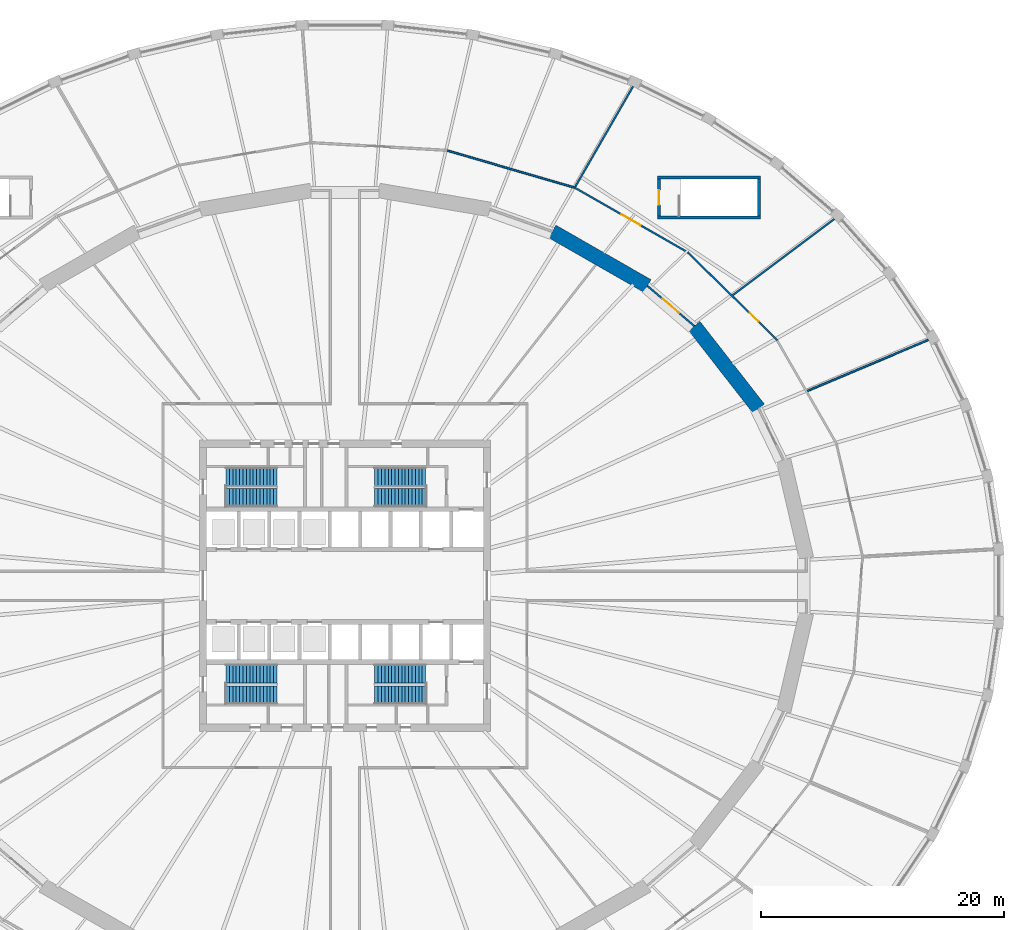
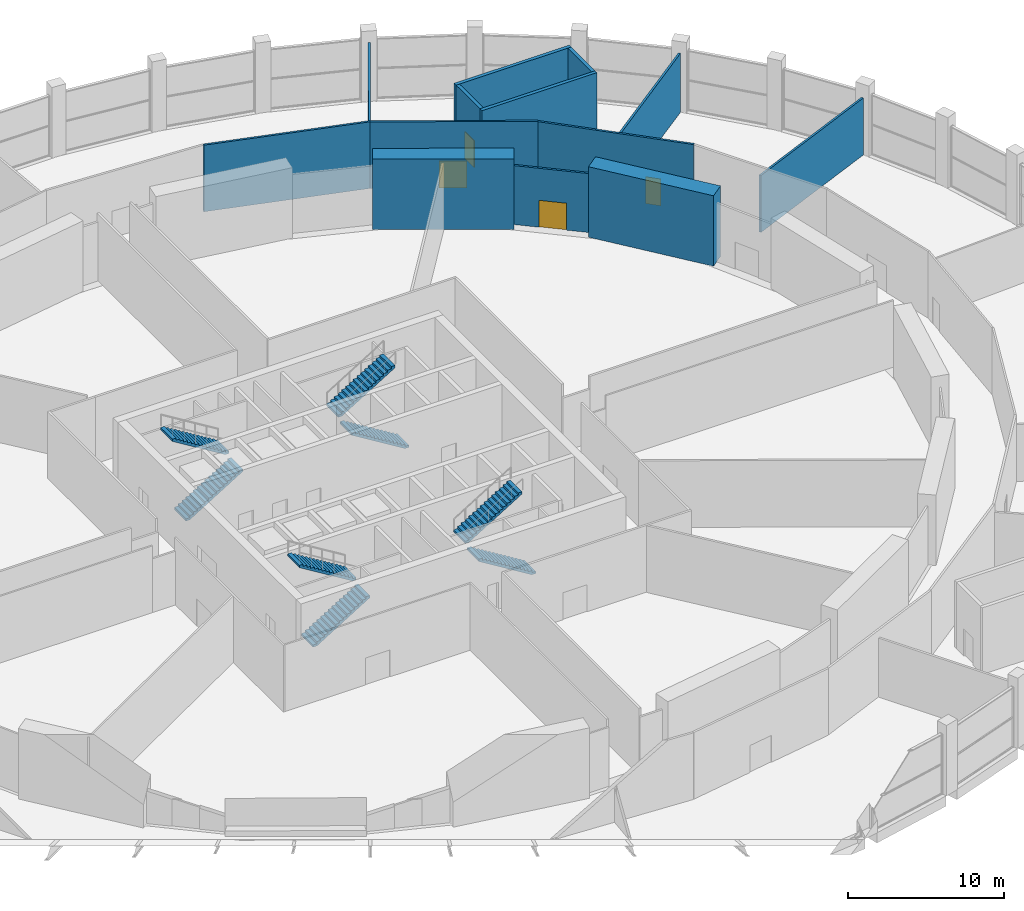
# One storey, part 24 of 26: 13 walls, 8 stair flights, 4 doors, 4 openings, 4 elements without a shape of their own.
"""IFC4 building model written with IfcOpenShell, lengths in metres."""

import ifcopenshell
import ifcopenshell.guid

model = None  # the IFC model being written
_history = None  # IfcOwnerHistory: only IFC2X3 demands one
_inside = {}  # id of a spatial element -> (the spatial element, [elements in it])
_under = {}  # id of a project, library or spatial element -> (it, [spatial elements below it])
_declared = {}  # id of a project -> (the project, [libraries it declares])
_typed = {}  # id of a type object -> (the type object, [elements of that type])
_made_of = {}  # id of a material, layer set ... -> (it, [elements and type objects made of it])


def new_model(schema):
    """Start an empty IFC model of exactly this schema.

    Asked for "IFC4X3", IfcOpenShell would pick the latest addendum, in which some entities
    have other attributes; the version numbers below select the first issue.
    IFC2X3 requires an IfcOwnerHistory on every rooted entity: one is made here for all.
    """
    global model, _history
    if schema == "IFC4X3":
        model = ifcopenshell.file(schema_version=(4, 3, 0, 0))
    else:
        model = ifcopenshell.file(schema=schema)
    _inside.clear()
    _under.clear()
    _declared.clear()
    _typed.clear()
    _made_of.clear()
    _history = None
    if model.schema == "IFC2X3":
        org = make("IfcOrganization", Name="unknown")
        user = make(
            "IfcPersonAndOrganization",
            ThePerson=make("IfcPerson", FamilyName="unknown"),
            TheOrganization=org,
        )
        app = make(
            "IfcApplication",
            ApplicationDeveloper=org,
            Version="unknown",
            ApplicationFullName="unknown",
            ApplicationIdentifier="unknown",
        )
        _history = make(
            "IfcOwnerHistory",
            OwningUser=user,
            OwningApplication=app,
            ChangeAction="ADDED",
            CreationDate=0,
        )
    return model


def make(cls, **values):
    """One entity of the class cls with the attributes given. An attribute that is None is left unset."""
    return model.create_entity(
        cls, **{name: value for name, value in values.items() if value is not None}
    )


def rooted(cls, **values):
    """An entity with a GlobalId (a new one), such as an element, a storey or a relation."""
    return make(cls, GlobalId=ifcopenshell.guid.new(), OwnerHistory=_history, **values)


def si_unit(unit_type, name, prefix=None):
    """IfcSIUnit, for example si_unit("LENGTHUNIT", "METRE", prefix="MILLI")."""
    return make("IfcSIUnit", UnitType=unit_type, Prefix=prefix, Name=name)


def assignment(units):
    """IfcUnitAssignment: the units of a project."""
    return None if units is None else make("IfcUnitAssignment", Units=units)


def point(xyz):
    """IfcCartesianPoint."""
    return None if xyz is None else make("IfcCartesianPoint", Coordinates=xyz)


def direction(xyz):
    """IfcDirection."""
    return None if xyz is None else make("IfcDirection", DirectionRatios=xyz)


def frame(location, z_axis=None, x_axis=None):
    """IfcAxis2Placement3D, a coordinate frame: its origin and axes. An axis left out is left unset."""
    return make(
        "IfcAxis2Placement3D",
        Location=point(location),
        Axis=direction(z_axis),
        RefDirection=direction(x_axis),
    )


def frame_2d(location, x_axis=None):
    """IfcAxis2Placement2D, a coordinate frame in the plane: its origin and x axis."""
    return make(
        "IfcAxis2Placement2D", Location=point(location), RefDirection=direction(x_axis)
    )


def origin():
    """The frame at (0, 0, 0) with its axes left unset."""
    return frame((0.0, 0.0, 0.0))


def place(relative_to, where):
    """IfcLocalPlacement: puts the frame where relative to a parent placement (None: the world)."""
    return make(
        "IfcLocalPlacement", PlacementRelTo=relative_to, RelativePlacement=where
    )


def context(
    kind, dimensions, precision=None, world=None, true_north=None, identifier=None
):
    """IfcGeometricRepresentationContext, for example the 3D "Model" context."""
    return make(
        "IfcGeometricRepresentationContext",
        ContextIdentifier=identifier,
        ContextType=kind,
        CoordinateSpaceDimension=dimensions,
        Precision=precision,
        WorldCoordinateSystem=world,
        TrueNorth=true_north,
    )


def subcontext(parent, identifier, kind, view, scale=None):
    """IfcGeometricRepresentationSubContext, for example "Body" below "Model"."""
    return make(
        "IfcGeometricRepresentationSubContext",
        ContextIdentifier=identifier,
        ContextType=kind,
        ParentContext=parent,
        TargetScale=scale,
        TargetView=view,
    )


def project(units=None, contexts=None):
    """IfcProject with its units and contexts."""
    return rooted(
        "IfcProject",
        Name="project",
        RepresentationContexts=contexts,
        UnitsInContext=assignment(units),
    )


def spatial(cls, under=None, at=None, **own):
    """A site, building, storey or space (cls), placed at a placement, below another one or the project."""
    s = rooted(cls, ObjectPlacement=at, **own)
    if under is not None:
        _under.setdefault(under.id(), (under, []))[1].append(s)
    return s


def polyline(points):
    """IfcPolyline through the points."""
    return make("IfcPolyline", Points=[point(p) for p in points])


def profile(cls, at=None, kind="AREA", **sizes):
    """A parametric profile (cls). Its sizes go by their IFC names, for example OverallWidth=200.0."""
    return make(cls, ProfileType=kind, Position=at, **sizes)


def rectangle(**sizes):
    """IfcRectangleProfileDef."""
    return profile("IfcRectangleProfileDef", **sizes)


def outline(outer, holes=None, kind="AREA"):
    """IfcArbitraryClosedProfileDef: a profile drawn as a closed curve; with holes, ...WithVoids."""
    if holes is None:
        return make("IfcArbitraryClosedProfileDef", ProfileType=kind, OuterCurve=outer)
    return make(
        "IfcArbitraryProfileDefWithVoids",
        ProfileType=kind,
        OuterCurve=outer,
        InnerCurves=holes,
    )


def extrude(swept, where, along, depth):
    """IfcExtrudedAreaSolid: the profile swept, set in the frame where, extruded along a direction by depth."""
    return make(
        "IfcExtrudedAreaSolid",
        SweptArea=swept,
        Position=where,
        ExtrudedDirection=direction(along),
        Depth=depth,
    )


def shape(context_of_items, identifier, shape_type, items):
    """IfcShapeRepresentation: the items that make up one representation, for example the "Body"."""
    return make(
        "IfcShapeRepresentation",
        ContextOfItems=context_of_items,
        RepresentationIdentifier=identifier,
        RepresentationType=shape_type,
        Items=items,
    )


def material(Name=None, Category=None):
    """IfcMaterial."""
    return make("IfcMaterial", Name=Name, Category=Category)


def layer(
    of_material, thickness, ventilated=None, Name=None, Category=None, Priority=None
):
    """IfcMaterialLayer: one layer of a wall or slab, of a material (None: an air gap)."""
    return make(
        "IfcMaterialLayer",
        Material=of_material,
        LayerThickness=thickness,
        IsVentilated=ventilated,
        Name=Name,
        Category=Category,
        Priority=Priority,
    )


def layer_set(layers, Name=None):
    """IfcMaterialLayerSet."""
    return make("IfcMaterialLayerSet", MaterialLayers=layers, LayerSetName=Name)


def made_of(thing, what):
    """Note that an element or type object is made of a material, layer set ...; save() writes the relation."""
    if what is not None:
        _made_of.setdefault(what.id(), (what, []))[1].append(thing)
    return thing


def type_object(cls, material=None, **own):
    """A type object (cls), such as IfcWallType, which elements share."""
    return made_of(rooted(cls, **own), material)


def element(
    cls,
    number,
    at=None,
    inside=None,
    cuts=None,
    type_object=None,
    material=None,
    context=None,
    identifier="Body",
    shape_type=None,
    held_by="IfcProductDefinitionShape",
    body=None,
    shapes=None,
    **own,
):
    """One element of the class cls, such as IfcWall. Its Tag is "e" and its number.

    at: its placement. inside: the storey or other place that contains it. cuts: it is an
    opening in that element (IfcRelVoidsElement). A single representation is given by context,
    identifier, shape_type and body (its items); several are given by shapes. held_by: the class
    of the entity that holds the representations. save() writes the other relations.
    """
    e = rooted(cls, Tag="e%d" % number, ObjectPlacement=at, **own)
    if body is not None:
        shapes = [shape(context, identifier, shape_type, body)]
    if shapes is not None:
        e.Representation = make(held_by, Representations=shapes)
    if inside is not None:
        _inside.setdefault(inside.id(), (inside, []))[1].append(e)
    if cuts is not None:
        rooted(
            "IfcRelVoidsElement", RelatingBuildingElement=cuts, RelatedOpeningElement=e
        )
    if type_object is not None:
        _typed.setdefault(type_object.id(), (type_object, []))[1].append(e)
    return made_of(e, material)


def fill(opening, filler):
    """IfcRelFillsElement: the door or window that sits in an opening."""
    return rooted(
        "IfcRelFillsElement",
        RelatingOpeningElement=opening,
        RelatedBuildingElement=filler,
    )


def aggregate(whole, parts):
    """IfcRelAggregates: a whole, such as a stair, and the parts it consists of."""
    return rooted("IfcRelAggregates", RelatingObject=whole, RelatedObjects=parts)


def save(model, path):
    """Write the relations noted so far, then the file.

    IfcRelAggregates (storeys below a building ...), IfcRelContainedInSpatialStructure (elements
    in a storey), IfcRelDefinesByType, IfcRelAssociatesMaterial and IfcRelDeclares: one each for
    every whole, place, type object, material and project.
    """
    for whole, parts in _under.values():
        aggregate(whole, parts)
    for where, things in _inside.values():
        rooted(
            "IfcRelContainedInSpatialStructure",
            RelatedElements=things,
            RelatingStructure=where,
        )
    for kind, things in _typed.values():
        rooted("IfcRelDefinesByType", RelatedObjects=things, RelatingType=kind)
    for what, things in _made_of.values():
        rooted("IfcRelAssociatesMaterial", RelatedObjects=things, RelatingMaterial=what)
    for by, libraries in _declared.values():
        rooted("IfcRelDeclares", RelatingContext=by, RelatedDefinitions=libraries)
    model.write(path)


model = new_model("IFC4")

# Units and contexts
model_context = context("Model", 3, precision=1e-05, world=origin(), true_north=direction((0.0, 1.0)))
body_context = subcontext(model_context, "Body", "Model", "MODEL_VIEW")
ifc_project = project(units=[si_unit("LENGTHUNIT", "METRE"), si_unit("AREAUNIT", "SQUARE_METRE"), si_unit("VOLUMEUNIT", "CUBIC_METRE"), si_unit("PLANEANGLEUNIT", "RADIAN"), si_unit("MASSUNIT", "GRAM", prefix="KILO")], contexts=[model_context])

# Site, building, storey
site_placement = place(None, origin())
site = spatial("IfcSite", under=ifc_project, at=site_placement, CompositionType="ELEMENT")
building_placement = place(site_placement, origin())
building = spatial("IfcBuilding", under=site, at=building_placement, Name="Halqa Exchange Tower", CompositionType="ELEMENT")
storey_placement = place(building_placement, frame((0.0, 0.0, 18.0)))
storey = spatial("IfcBuildingStorey", under=building, at=storey_placement, Name="L03", CompositionType="ELEMENT", Elevation=18.0)

# Walls
ifc_material_1 = material(Name="Fire-rated gypsum board")
ifc_layer_1 = layer(ifc_material_1, 0.14990234375)
ifc_layer_set_1 = layer_set([ifc_layer_1], Name="Fire-rated gypsum board")
wall_type_1 = type_object("IfcWallType", Name="Fire partition EI 60 150", PredefinedType="PARTITIONING", material=ifc_layer_set_1)
wall_1_placement = place(storey_placement, frame((8.445556640625, 35.8623046875, 0.0), z_axis=(0.0, 0.0, 1.0), x_axis=(0.96020899529, -0.27928244729, 0.0)))
element("IfcWall", 1, at=wall_1_placement, inside=storey, type_object=wall_type_1, Name="L03-PWL-051", PredefinedType="PARTITIONING", context=body_context, shape_type="SweptSolid", body=[
    extrude(rectangle(XDim=10.949951171875, YDim=0.14990234375, at=frame_2d((5.47509765625, 0.0))), origin(), (0.0, 0.0, 1.0), 5.199951171875),
])
wall_2_placement = place(storey_placement, frame((18.978271484375, 32.876220703125, 0.0), z_axis=(0.0, 0.0, 1.0), x_axis=(0.499214042651, 0.866478701192, 0.0)))
element("IfcWall", 2, at=wall_2_placement, inside=storey, type_object=wall_type_1, Name="L03-PWL-063", PredefinedType="PARTITIONING", context=body_context, shape_type="SweptSolid", body=[
    extrude(outline(polyline([(0.0, -0.074951171875), (9.558349609375, -0.074951171875), (9.539794921875, 0.074951171875), (0.0, 0.074951171875), (0.0, -0.074951171875)])), origin(), (0.0, 0.0, 1.0), 4.60009765625),
])

# Wall, opening, door
wall_3_placement = place(storey_placement, frame((18.957763671875, 32.7998046875, 0.0), z_axis=(0.0, 0.0, 1.0), x_axis=(0.867958465669, -0.496636790697, 0.0)))
wall_3 = element("IfcWall", 3, at=wall_3_placement, inside=storey, type_object=wall_type_1, Name="L03-PWL-064", PredefinedType="PARTITIONING", context=body_context, shape_type="SweptSolid", body=[
    extrude(rectangle(XDim=10.771728515625, YDim=0.14990234375, at=frame_2d((5.3857421875, 0.0))), origin(), (0.0, 0.0, 1.0), 5.199951171875),
])
opening_1_placement = place(wall_3_placement, frame((4.42529296875, 0.0, 0.0)))
opening_1 = element("IfcOpeningElement", 4, at=opening_1_placement, cuts=wall_3, Name="Opening L03-16", PredefinedType="OPENING", context=body_context, shape_type="SweptSolid", body=[
    extrude(rectangle(XDim=1.800048828125, YDim=2.10009765625, at=frame_2d((0.89990234375, 1.050048828125))), frame((0.0, 0.0869140625, 0.0), z_axis=(0.0, -1.0, 0.0), x_axis=(1.0, 0.0, 0.0)), (0.0, 0.0, 1.0), 0.173828125),
])
ifc_material_2 = material(Name="Steel fire door leaf", Category="steel")
door_type_1 = type_object("IfcDoorType", Name="Fire door FD30S double 1800 x 2100", OperationType="DOUBLE_DOOR_SINGLE_SWING", PredefinedType="DOOR", material=ifc_material_2)
door_1_placement = place(opening_1_placement, origin())
door_1 = element("IfcDoor", 5, at=door_1_placement, inside=storey, type_object=door_type_1, Name="L03-IDR-016", OperationType="DOUBLE_DOOR_SINGLE_SWING", OverallHeight=2.10009765625, OverallWidth=1.800048828125, PredefinedType="DOOR", context=body_context, shape_type="SweptSolid", body=[
    extrude(rectangle(XDim=1.800048828125, YDim=2.10009765625, at=frame_2d((0.89990234375, 1.050048828125))), frame((0.0, 0.02490234375, 0.0), z_axis=(0.0, -1.0, 0.0), x_axis=(1.0, 0.0, 0.0)), (0.0, 0.0, 1.0), 0.050048828125),
])
fill(opening_1, door_1)

wall_4_placement = place(storey_placement, frame((28.293701171875, 27.427978515625, 0.0), z_axis=(0.0, 0.0, 1.0), x_axis=(0.71483918539, -0.699288880958, 0.0)))
wall_4 = element("IfcWall", 6, at=wall_4_placement, inside=storey, type_object=wall_type_1, Name="L03-PWL-067", PredefinedType="PARTITIONING", context=body_context, shape_type="SweptSolid", body=[
    extrude(rectangle(XDim=10.283447265625, YDim=0.14990234375, at=frame_2d((5.1416015625, 0.0))), origin(), (0.0, 0.0, 1.0), 5.199951171875),
])
opening_2_placement = place(wall_4_placement, frame((7.096923828125, 0.0, 0.0)))
opening_2 = element("IfcOpeningElement", 7, at=opening_2_placement, cuts=wall_4, Name="Opening L03-21", PredefinedType="OPENING", context=body_context, shape_type="SweptSolid", body=[
    extrude(rectangle(XDim=1.0, YDim=2.10009765625, at=frame_2d((0.5, 1.050048828125))), frame((0.0, 0.0869140625, 0.0), z_axis=(0.0, -1.0, 0.0), x_axis=(1.0, 0.0, 0.0)), (0.0, 0.0, 1.0), 0.173828125),
])
door_type_2 = type_object("IfcDoorType", Name="Fire door FD30S 1000 x 2100", OperationType="SINGLE_SWING_LEFT", PredefinedType="DOOR", material=ifc_material_2)
door_2_placement = place(opening_2_placement, origin())
door_2 = element("IfcDoor", 8, at=door_2_placement, inside=storey, type_object=door_type_2, Name="L03-IDR-021", OperationType="SINGLE_SWING_RIGHT", OverallHeight=2.10009765625, OverallWidth=1.0, PredefinedType="DOOR", context=body_context, shape_type="SweptSolid", body=[
    extrude(rectangle(XDim=1.0, YDim=2.10009765625, at=frame_2d((0.5, 1.050048828125))), frame((0.0, 0.02490234375, 0.0), z_axis=(0.0, -1.0, 0.0), x_axis=(1.0, 0.0, 0.0)), (0.0, 0.0, 1.0), 0.050048828125),
])
fill(opening_2, door_2)

wall_5_placement = place(storey_placement, frame((28.789306640625, 21.41064453125, 0.0), z_axis=(0.0, 0.0, 1.0), x_axis=(-0.760084552743, 0.649824185978, 0.0)))
wall_5 = element("IfcWall", 9, at=wall_5_placement, inside=storey, type_object=wall_type_1, Name="L03-PWL-068", PredefinedType="PARTITIONING", context=body_context, shape_type="SweptSolid", body=[
    extrude(outline(polyline([(-0.015380859375, -0.074951171875), (5.089111328125, -0.074951171875), (5.060791015625, 0.074951171875), (0.015380859375, 0.074951171875), (-0.015380859375, -0.074951171875)])), origin(), (0.0, 0.0, 1.0), 4.60009765625),
])
opening_3_placement = place(wall_5_placement, frame((1.63818359375, 0.0, 0.0)))
opening_3 = element("IfcOpeningElement", 10, at=opening_3_placement, cuts=wall_5, Name="Opening L03-03", PredefinedType="OPENING", context=body_context, shape_type="SweptSolid", body=[
    extrude(rectangle(XDim=1.800048828125, YDim=2.10009765625, at=frame_2d((0.89990234375, 1.050048828125))), frame((0.0, 0.0869140625, 0.0), z_axis=(0.0, -1.0, 0.0), x_axis=(1.0, 0.0, 0.0)), (0.0, 0.0, 1.0), 0.173828125),
])
door_3_placement = place(opening_3_placement, origin())
door_3 = element("IfcDoor", 11, at=door_3_placement, inside=storey, type_object=door_type_1, Name="L03-IDR-003", OperationType="DOUBLE_DOOR_SINGLE_SWING", OverallHeight=2.10009765625, OverallWidth=1.800048828125, PredefinedType="DOOR", context=body_context, shape_type="SweptSolid", body=[
    extrude(rectangle(XDim=1.800048828125, YDim=2.10009765625, at=frame_2d((0.89990234375, 1.050048828125))), frame((0.0, 0.02490234375, 0.0), z_axis=(0.0, -1.0, 0.0), x_axis=(1.0, 0.0, 0.0)), (0.0, 0.0, 1.0), 0.050048828125),
])
fill(opening_3, door_3)

# Walls
wall_6_placement = place(storey_placement, frame((38.107421875, 16.04833984375, 0.0), z_axis=(0.0, 0.0, 1.0), x_axis=(0.92132899404, 0.3887838535, 0.0)))
element("IfcWall", 12, at=wall_6_placement, inside=storey, type_object=wall_type_1, Name="L03-PWL-077", PredefinedType="PARTITIONING", context=body_context, shape_type="SweptSolid", body=[
    extrude(outline(polyline([(0.00927734375, -0.074951171875), (10.84912109375, -0.074951171875), (10.83056640625, 0.074951171875), (-0.00927734375, 0.074951171875), (0.00927734375, -0.074951171875)])), origin(), (0.0, 0.0, 1.0), 4.447021484375),
])
wall_7_placement = place(storey_placement, frame((40.33740234375, 30.2255859375, 0.0), z_axis=(0.0, 0.0, 1.0), x_axis=(-0.800117504973, -0.599843294732, 0.0)))
element("IfcWall", 13, at=wall_7_placement, inside=storey, type_object=wall_type_1, Name="L03-PWL-080", PredefinedType="PARTITIONING", context=body_context, shape_type="SweptSolid", body=[
    extrude(outline(polyline([(0.011474609375, -0.074951171875), (10.481689453125, -0.074951171875), (10.458740234375, 0.074951171875), (-0.011474609375, 0.074951171875), (0.011474609375, -0.074951171875)])), origin(), (0.0, 0.0, 1.0), 4.60009765625),
])
ifc_material_3 = material(Name="Concrete C80/95", Category="concrete")
ifc_layer_2 = layer(ifc_material_3, 1.199951171875)
ifc_layer_set_2 = layer_set([ifc_layer_2], Name="Concrete C80/95")
wall_type_2 = type_object("IfcWallType", Name="RC ring pier 1200 C80/95", PredefinedType="SHEAR", material=ifc_layer_set_2)
wall_8_placement = place(storey_placement, frame((34.09716796875, 14.60498046875, 0.0), z_axis=(0.0, 0.0, 1.0), x_axis=(-0.614825322247, 0.788663314174, 0.0)))
element("IfcWall", 14, at=wall_8_placement, inside=storey, type_object=wall_type_2, Name="Ring pier 2", PredefinedType="SHEAR", context=body_context, shape_type="SweptSolid", body=[
    extrude(rectangle(XDim=8.631591796875, YDim=1.199951171875, at=frame_2d((4.31591796875, 0.0))), origin(), (0.0, 0.0, 1.0), 5.5),
])
wall_9_placement = place(storey_placement, frame((24.931396484375, 24.705810546875, 0.0), z_axis=(0.0, 0.0, 1.0), x_axis=(-0.867760656864, 0.496982336103, 0.0)))
element("IfcWall", 15, at=wall_9_placement, inside=storey, type_object=wall_type_2, Name="Ring pier 3", PredefinedType="SHEAR", context=body_context, shape_type="SweptSolid", body=[
    extrude(rectangle(XDim=9.037841796875, YDim=1.199951171875, at=frame_2d((4.51904296875, 0.0))), origin(), (0.0, 0.0, 1.0), 5.5),
])
ifc_material_4 = material(Name="Concrete C30/37", Category="concrete")
ifc_layer_3 = layer(ifc_material_4, 0.25)
ifc_layer_set_3 = layer_set([ifc_layer_3], Name="Concrete C30/37")
wall_type_3 = type_object("IfcWallType", Name="RC stair wall 250 C30/37", PredefinedType="SHEAR", material=ifc_layer_set_3)
for number, where, z_axis, x_axis, name in (
    (16, (25.75, 33.64990234375, 0.0), (0.0, 0.0, 1.0), (1.0, 0.0, 0.0), "Stair PS1 wall north"),
    (17, (25.75, 30.35009765625, 0.0), (0.0, 0.0, 1.0), (1.0, 0.0, 0.0), "Stair PS1 wall south"),
):
    element("IfcWall", number, at=place(storey_placement, frame(where, z_axis=z_axis, x_axis=x_axis)), inside=storey, type_object=wall_type_3, Name=name, PredefinedType="SHEAR", context=body_context, shape_type="SweptSolid", body=[
        extrude(rectangle(XDim=8.5, YDim=0.25, at=frame_2d((4.25, 0.0))), origin(), (0.0, 0.0, 1.0), 5.199951171875),
    ])

# Wall, opening, door
wall_10_placement = place(storey_placement, frame((25.875, 30.47509765625, 0.0), z_axis=(0.0, 0.0, 1.0), x_axis=(0.0, 1.0, 0.0)))
wall_10 = element("IfcWall", 18, at=wall_10_placement, inside=storey, type_object=wall_type_3, Name="Stair PS1 wall west", PredefinedType="SHEAR", context=body_context, shape_type="SweptSolid", body=[
    extrude(rectangle(XDim=3.0498046875, YDim=0.25, at=frame_2d((1.52490234375, 0.0))), origin(), (0.0, 0.0, 1.0), 5.199951171875),
])
opening_4_placement = place(wall_10_placement, frame((0.925048828125, 0.0, 0.0)))
opening_4 = element("IfcOpeningElement", 19, at=opening_4_placement, cuts=wall_10, Name="Opening L03-C15", PredefinedType="OPENING", context=body_context, shape_type="SweptSolid", body=[
    extrude(rectangle(XDim=1.199951171875, YDim=2.10009765625, at=frame_2d((0.60009765625, 1.050048828125))), frame((0.0, 0.136962890625, 0.0), z_axis=(0.0, -1.0, 0.0), x_axis=(1.0, 0.0, 0.0)), (0.0, 0.0, 1.0), 0.27392578125),
])
door_type_3 = type_object("IfcDoorType", Name="Stair door FD90 1200 x 2100", OperationType="SINGLE_SWING_LEFT", PredefinedType="DOOR", material=ifc_material_2)
door_4_placement = place(opening_4_placement, origin())
door_4 = element("IfcDoor", 20, at=door_4_placement, inside=storey, type_object=door_type_3, Name="Stair door PS1", OperationType="SINGLE_SWING_RIGHT", OverallHeight=2.10009765625, OverallWidth=1.199951171875, PredefinedType="DOOR", context=body_context, shape_type="SweptSolid", body=[
    extrude(rectangle(XDim=1.199951171875, YDim=2.10009765625, at=frame_2d((0.60009765625, 1.050048828125))), frame((0.0, 0.02490234375, 0.0), z_axis=(0.0, -1.0, 0.0), x_axis=(1.0, 0.0, 0.0)), (0.0, 0.0, 1.0), 0.050048828125),
])
fill(opening_4, door_4)

# Wall
wall_11_placement = place(storey_placement, frame((34.125, 30.47509765625, 0.0), z_axis=(0.0, 0.0, 1.0), x_axis=(0.0, 1.0, 0.0)))
element("IfcWall", 21, at=wall_11_placement, inside=storey, type_object=wall_type_3, Name="Stair PS1 wall east", PredefinedType="SHEAR", context=body_context, shape_type="SweptSolid", body=[
    extrude(rectangle(XDim=3.0498046875, YDim=0.25, at=frame_2d((1.52490234375, 0.0))), origin(), (0.0, 0.0, 1.0), 5.199951171875),
])

# Stair, stair flights
stair_type = type_object("IfcStairType", Name="Exit stair 1500 wide", PredefinedType="HALF_TURN_STAIR", material=ifc_material_4)
stair_1_placement = place(storey_placement, origin())
stair_1 = element("IfcStair", 22, at=stair_1_placement, inside=storey, type_object=stair_type, Name="Exit stair ST1", PredefinedType="HALF_TURN_STAIR")
stair_flight_type = type_object("IfcStairFlightType", Name="Stair flight 1500 wide", PredefinedType="STRAIGHT", material=ifc_material_4)
stair_flight_1_placement = place(storey_placement, frame((-9.800048828125, 7.25, 0.0), z_axis=(0.0, 0.0, 1.0), x_axis=(1.0, 0.0, 0.0)))
stair_flight_1 = element("IfcStairFlight", 23, at=stair_flight_1_placement, type_object=stair_flight_type, Name="ST1 flight 1", NumberOfRisers=16, NumberOfTreads=15, PredefinedType="STRAIGHT", RiserHeight=0.171875, TreadLength=0.28, context=body_context, shape_type="SweptSolid", body=[
    extrude(outline(polyline([(0.0, 0.0), (0.0, 0.171875), (0.280029296875, 0.171875), (0.280029296875, 0.34375), (0.56005859375, 0.34375), (0.56005859375, 0.515625), (0.840087890625, 0.515625), (0.840087890625, 0.6875), (1.1201171875, 0.6875), (1.1201171875, 0.859375), (1.39990234375, 0.859375), (1.39990234375, 1.03125), (1.679931640625, 1.03125), (1.679931640625, 1.203125), (1.9599609375, 1.203125), (1.9599609375, 1.375), (2.239990234375, 1.375), (2.239990234375, 1.546875), (2.52001953125, 1.546875), (2.52001953125, 1.71875), (2.800048828125, 1.71875), (2.800048828125, 1.890625), (3.080078125, 1.890625), (3.080078125, 2.0625), (3.360107421875, 2.0625), (3.360107421875, 2.234375), (3.639892578125, 2.234375), (3.639892578125, 2.40625), (3.919921875, 2.40625), (3.919921875, 2.578125), (4.199951171875, 2.578125), (4.199951171875, 2.75), (4.199951171875, 2.40234375), (0.28662109375, 0.0), (0.0, 0.0)])), frame((0.0, 0.75, 0.0), z_axis=(0.0, -1.0, 0.0), x_axis=(1.0, 0.0, 0.0)), (0.0, 0.0, 1.0), 1.5),
])
stair_flight_2_placement = place(storey_placement, frame((-5.60009765625, 9.0, 2.75), z_axis=(0.0, 0.0, 1.0), x_axis=(-1.0, 0.0, 0.0)))
stair_flight_2 = element("IfcStairFlight", 24, at=stair_flight_2_placement, type_object=stair_flight_type, Name="ST1 flight 2", NumberOfRisers=16, NumberOfTreads=15, PredefinedType="STRAIGHT", RiserHeight=0.171875, TreadLength=0.28, context=body_context, shape_type="SweptSolid", body=[
    extrude(outline(polyline([(0.0, 0.0), (0.0, 0.171875), (0.280029296875, 0.171875), (0.280029296875, 0.34375), (0.56005859375, 0.34375), (0.56005859375, 0.515625), (0.840087890625, 0.515625), (0.840087890625, 0.6875), (1.1201171875, 0.6875), (1.1201171875, 0.859375), (1.39990234375, 0.859375), (1.39990234375, 1.03125), (1.679931640625, 1.03125), (1.679931640625, 1.203125), (1.9599609375, 1.203125), (1.9599609375, 1.375), (2.239990234375, 1.375), (2.239990234375, 1.546875), (2.52001953125, 1.546875), (2.52001953125, 1.71875), (2.800048828125, 1.71875), (2.800048828125, 1.890625), (3.080078125, 1.890625), (3.080078125, 2.0625), (3.360107421875, 2.0625), (3.360107421875, 2.234375), (3.639892578125, 2.234375), (3.639892578125, 2.40625), (3.919921875, 2.40625), (3.919921875, 2.578125), (4.199951171875, 2.578125), (4.199951171875, 2.75), (4.199951171875, 2.40234375), (0.28662109375, 0.0), (0.0, 0.0)])), frame((0.0, 0.75, 0.0), z_axis=(0.0, -1.0, 0.0), x_axis=(1.0, 0.0, 0.0)), (0.0, 0.0, 1.0), 1.5),
])
aggregate(stair_1, [stair_flight_1, stair_flight_2])

stair_2_placement = place(storey_placement, origin())
stair_2 = element("IfcStair", 25, at=stair_2_placement, inside=storey, type_object=stair_type, Name="Exit stair ST2", PredefinedType="HALF_TURN_STAIR")
stair_flight_3_placement = place(storey_placement, frame((6.64990234375, 7.25, 0.0), z_axis=(0.0, 0.0, 1.0), x_axis=(-1.0, 0.0, 0.0)))
stair_flight_3 = element("IfcStairFlight", 26, at=stair_flight_3_placement, type_object=stair_flight_type, Name="ST2 flight 1", NumberOfRisers=16, NumberOfTreads=15, PredefinedType="STRAIGHT", RiserHeight=0.171875, TreadLength=0.28, context=body_context, shape_type="SweptSolid", body=[
    extrude(outline(polyline([(0.0, 0.0), (0.0, 0.171875), (0.280029296875, 0.171875), (0.280029296875, 0.34375), (0.56005859375, 0.34375), (0.56005859375, 0.515625), (0.840087890625, 0.515625), (0.840087890625, 0.6875), (1.1201171875, 0.6875), (1.1201171875, 0.859375), (1.39990234375, 0.859375), (1.39990234375, 1.03125), (1.679931640625, 1.03125), (1.679931640625, 1.203125), (1.9599609375, 1.203125), (1.9599609375, 1.375), (2.239990234375, 1.375), (2.239990234375, 1.546875), (2.52001953125, 1.546875), (2.52001953125, 1.71875), (2.800048828125, 1.71875), (2.800048828125, 1.890625), (3.080078125, 1.890625), (3.080078125, 2.0625), (3.360107421875, 2.0625), (3.360107421875, 2.234375), (3.639892578125, 2.234375), (3.639892578125, 2.40625), (3.919921875, 2.40625), (3.919921875, 2.578125), (4.199951171875, 2.578125), (4.199951171875, 2.75), (4.199951171875, 2.40234375), (0.28662109375, 0.0), (0.0, 0.0)])), frame((0.0, 0.75, 0.0), z_axis=(0.0, -1.0, 0.0), x_axis=(1.0, 0.0, 0.0)), (0.0, 0.0, 1.0), 1.5),
])
stair_flight_4_placement = place(storey_placement, frame((2.449951171875, 9.0, 2.75), z_axis=(0.0, 0.0, 1.0), x_axis=(1.0, 0.0, 0.0)))
stair_flight_4 = element("IfcStairFlight", 27, at=stair_flight_4_placement, type_object=stair_flight_type, Name="ST2 flight 2", NumberOfRisers=16, NumberOfTreads=15, PredefinedType="STRAIGHT", RiserHeight=0.171875, TreadLength=0.28, context=body_context, shape_type="SweptSolid", body=[
    extrude(outline(polyline([(0.0, 0.0), (0.0, 0.171875), (0.280029296875, 0.171875), (0.280029296875, 0.34375), (0.56005859375, 0.34375), (0.56005859375, 0.515625), (0.840087890625, 0.515625), (0.840087890625, 0.6875), (1.1201171875, 0.6875), (1.1201171875, 0.859375), (1.39990234375, 0.859375), (1.39990234375, 1.03125), (1.679931640625, 1.03125), (1.679931640625, 1.203125), (1.9599609375, 1.203125), (1.9599609375, 1.375), (2.239990234375, 1.375), (2.239990234375, 1.546875), (2.52001953125, 1.546875), (2.52001953125, 1.71875), (2.800048828125, 1.71875), (2.800048828125, 1.890625), (3.080078125, 1.890625), (3.080078125, 2.0625), (3.360107421875, 2.0625), (3.360107421875, 2.234375), (3.639892578125, 2.234375), (3.639892578125, 2.40625), (3.919921875, 2.40625), (3.919921875, 2.578125), (4.199951171875, 2.578125), (4.199951171875, 2.75), (4.199951171875, 2.40234375), (0.28662109375, 0.0), (0.0, 0.0)])), frame((0.0, 0.75, 0.0), z_axis=(0.0, -1.0, 0.0), x_axis=(1.0, 0.0, 0.0)), (0.0, 0.0, 1.0), 1.5),
])
aggregate(stair_2, [stair_flight_3, stair_flight_4])

stair_3_placement = place(storey_placement, origin())
stair_3 = element("IfcStair", 28, at=stair_3_placement, inside=storey, type_object=stair_type, Name="Exit stair ST3", PredefinedType="HALF_TURN_STAIR")
stair_flight_5_placement = place(storey_placement, frame((-9.800048828125, -9.0, 0.0), z_axis=(0.0, 0.0, 1.0), x_axis=(1.0, 0.0, 0.0)))
stair_flight_5 = element("IfcStairFlight", 29, at=stair_flight_5_placement, type_object=stair_flight_type, Name="ST3 flight 1", NumberOfRisers=16, NumberOfTreads=15, PredefinedType="STRAIGHT", RiserHeight=0.171875, TreadLength=0.28, context=body_context, shape_type="SweptSolid", body=[
    extrude(outline(polyline([(0.0, 0.0), (0.0, 0.171875), (0.280029296875, 0.171875), (0.280029296875, 0.34375), (0.56005859375, 0.34375), (0.56005859375, 0.515625), (0.840087890625, 0.515625), (0.840087890625, 0.6875), (1.1201171875, 0.6875), (1.1201171875, 0.859375), (1.39990234375, 0.859375), (1.39990234375, 1.03125), (1.679931640625, 1.03125), (1.679931640625, 1.203125), (1.9599609375, 1.203125), (1.9599609375, 1.375), (2.239990234375, 1.375), (2.239990234375, 1.546875), (2.52001953125, 1.546875), (2.52001953125, 1.71875), (2.800048828125, 1.71875), (2.800048828125, 1.890625), (3.080078125, 1.890625), (3.080078125, 2.0625), (3.360107421875, 2.0625), (3.360107421875, 2.234375), (3.639892578125, 2.234375), (3.639892578125, 2.40625), (3.919921875, 2.40625), (3.919921875, 2.578125), (4.199951171875, 2.578125), (4.199951171875, 2.75), (4.199951171875, 2.40234375), (0.28662109375, 0.0), (0.0, 0.0)])), frame((0.0, 0.75, 0.0), z_axis=(0.0, -1.0, 0.0), x_axis=(1.0, 0.0, 0.0)), (0.0, 0.0, 1.0), 1.5),
])
stair_flight_6_placement = place(storey_placement, frame((-5.60009765625, -7.25, 2.75), z_axis=(0.0, 0.0, 1.0), x_axis=(-1.0, 0.0, 0.0)))
stair_flight_6 = element("IfcStairFlight", 30, at=stair_flight_6_placement, type_object=stair_flight_type, Name="ST3 flight 2", NumberOfRisers=16, NumberOfTreads=15, PredefinedType="STRAIGHT", RiserHeight=0.171875, TreadLength=0.28, context=body_context, shape_type="SweptSolid", body=[
    extrude(outline(polyline([(0.0, 0.0), (0.0, 0.171875), (0.280029296875, 0.171875), (0.280029296875, 0.34375), (0.56005859375, 0.34375), (0.56005859375, 0.515625), (0.840087890625, 0.515625), (0.840087890625, 0.6875), (1.1201171875, 0.6875), (1.1201171875, 0.859375), (1.39990234375, 0.859375), (1.39990234375, 1.03125), (1.679931640625, 1.03125), (1.679931640625, 1.203125), (1.9599609375, 1.203125), (1.9599609375, 1.375), (2.239990234375, 1.375), (2.239990234375, 1.546875), (2.52001953125, 1.546875), (2.52001953125, 1.71875), (2.800048828125, 1.71875), (2.800048828125, 1.890625), (3.080078125, 1.890625), (3.080078125, 2.0625), (3.360107421875, 2.0625), (3.360107421875, 2.234375), (3.639892578125, 2.234375), (3.639892578125, 2.40625), (3.919921875, 2.40625), (3.919921875, 2.578125), (4.199951171875, 2.578125), (4.199951171875, 2.75), (4.199951171875, 2.40234375), (0.28662109375, 0.0), (0.0, 0.0)])), frame((0.0, 0.75, 0.0), z_axis=(0.0, -1.0, 0.0), x_axis=(1.0, 0.0, 0.0)), (0.0, 0.0, 1.0), 1.5),
])
aggregate(stair_3, [stair_flight_5, stair_flight_6])

stair_4_placement = place(storey_placement, origin())
stair_4 = element("IfcStair", 31, at=stair_4_placement, inside=storey, type_object=stair_type, Name="Exit stair ST4", PredefinedType="HALF_TURN_STAIR")
stair_flight_7_placement = place(storey_placement, frame((6.64990234375, -9.0, 0.0), z_axis=(0.0, 0.0, 1.0), x_axis=(-1.0, 0.0, 0.0)))
stair_flight_7 = element("IfcStairFlight", 32, at=stair_flight_7_placement, type_object=stair_flight_type, Name="ST4 flight 1", NumberOfRisers=16, NumberOfTreads=15, PredefinedType="STRAIGHT", RiserHeight=0.171875, TreadLength=0.28, context=body_context, shape_type="SweptSolid", body=[
    extrude(outline(polyline([(0.0, 0.0), (0.0, 0.171875), (0.280029296875, 0.171875), (0.280029296875, 0.34375), (0.56005859375, 0.34375), (0.56005859375, 0.515625), (0.840087890625, 0.515625), (0.840087890625, 0.6875), (1.1201171875, 0.6875), (1.1201171875, 0.859375), (1.39990234375, 0.859375), (1.39990234375, 1.03125), (1.679931640625, 1.03125), (1.679931640625, 1.203125), (1.9599609375, 1.203125), (1.9599609375, 1.375), (2.239990234375, 1.375), (2.239990234375, 1.546875), (2.52001953125, 1.546875), (2.52001953125, 1.71875), (2.800048828125, 1.71875), (2.800048828125, 1.890625), (3.080078125, 1.890625), (3.080078125, 2.0625), (3.360107421875, 2.0625), (3.360107421875, 2.234375), (3.639892578125, 2.234375), (3.639892578125, 2.40625), (3.919921875, 2.40625), (3.919921875, 2.578125), (4.199951171875, 2.578125), (4.199951171875, 2.75), (4.199951171875, 2.40234375), (0.28662109375, 0.0), (0.0, 0.0)])), frame((0.0, 0.75, 0.0), z_axis=(0.0, -1.0, 0.0), x_axis=(1.0, 0.0, 0.0)), (0.0, 0.0, 1.0), 1.5),
])
stair_flight_8_placement = place(storey_placement, frame((2.449951171875, -7.25, 2.75), z_axis=(0.0, 0.0, 1.0), x_axis=(1.0, 0.0, 0.0)))
stair_flight_8 = element("IfcStairFlight", 33, at=stair_flight_8_placement, type_object=stair_flight_type, Name="ST4 flight 2", NumberOfRisers=16, NumberOfTreads=15, PredefinedType="STRAIGHT", RiserHeight=0.171875, TreadLength=0.28, context=body_context, shape_type="SweptSolid", body=[
    extrude(outline(polyline([(0.0, 0.0), (0.0, 0.171875), (0.280029296875, 0.171875), (0.280029296875, 0.34375), (0.56005859375, 0.34375), (0.56005859375, 0.515625), (0.840087890625, 0.515625), (0.840087890625, 0.6875), (1.1201171875, 0.6875), (1.1201171875, 0.859375), (1.39990234375, 0.859375), (1.39990234375, 1.03125), (1.679931640625, 1.03125), (1.679931640625, 1.203125), (1.9599609375, 1.203125), (1.9599609375, 1.375), (2.239990234375, 1.375), (2.239990234375, 1.546875), (2.52001953125, 1.546875), (2.52001953125, 1.71875), (2.800048828125, 1.71875), (2.800048828125, 1.890625), (3.080078125, 1.890625), (3.080078125, 2.0625), (3.360107421875, 2.0625), (3.360107421875, 2.234375), (3.639892578125, 2.234375), (3.639892578125, 2.40625), (3.919921875, 2.40625), (3.919921875, 2.578125), (4.199951171875, 2.578125), (4.199951171875, 2.75), (4.199951171875, 2.40234375), (0.28662109375, 0.0), (0.0, 0.0)])), frame((0.0, 0.75, 0.0), z_axis=(0.0, -1.0, 0.0), x_axis=(1.0, 0.0, 0.0)), (0.0, 0.0, 1.0), 1.5),
])
aggregate(stair_4, [stair_flight_7, stair_flight_8])

save(model, "model.ifc")
